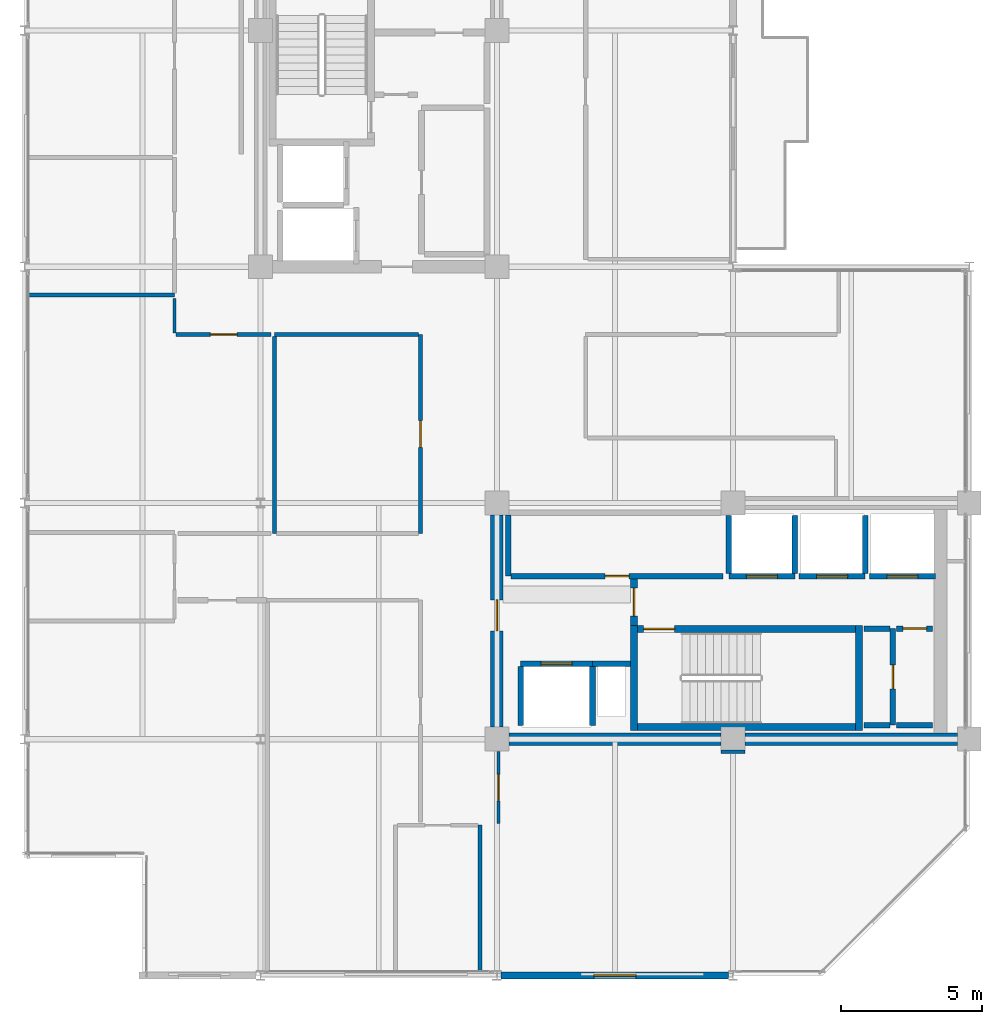
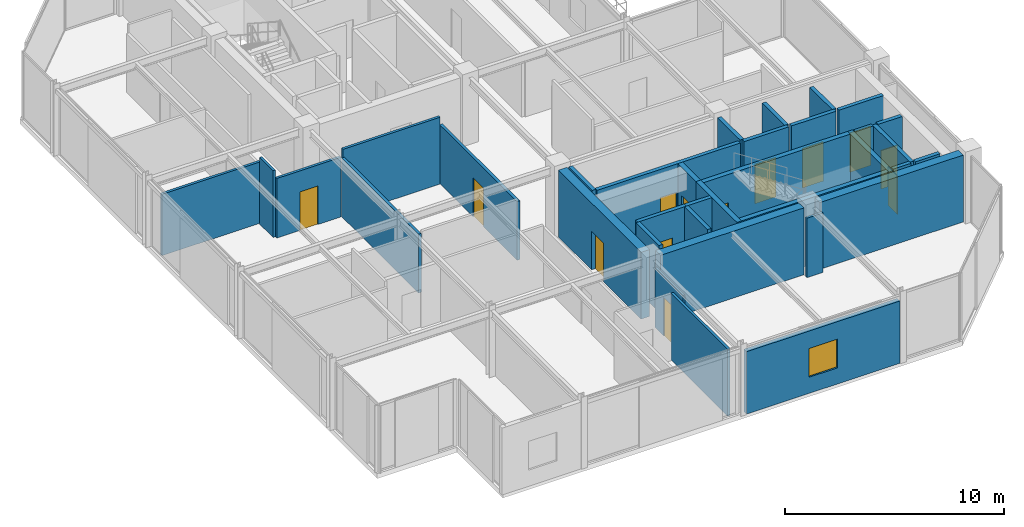
# One storey, part 20 of 24: 35 walls, 13 doors, 1 window, 14 openings.
"""IFC4 building model written with IfcOpenShell, lengths in metres."""

from ifc_helpers import new_model, si_unit, direction, frame, frame_2d, origin, place, context, subcontext, project, spatial, rectangle, extrude, material, layer, layer_set, type_object, element, fill, save


model = new_model("IFC4")

# Units and contexts
model_context = context("Model", 3, precision=1e-05, world=origin(), true_north=direction((0.0, 1.0)))
body_context = subcontext(model_context, "Body", "Model", "MODEL_VIEW")
ifc_project = project(units=[si_unit("LENGTHUNIT", "METRE"), si_unit("AREAUNIT", "SQUARE_METRE"), si_unit("VOLUMEUNIT", "CUBIC_METRE"), si_unit("PLANEANGLEUNIT", "RADIAN"), si_unit("MASSUNIT", "GRAM", prefix="KILO")], contexts=[model_context])

# Site, building, storey
site_placement = place(None, origin())
site = spatial("IfcSite", under=ifc_project, at=site_placement, CompositionType="ELEMENT")
building_placement = place(site_placement, origin())
building = spatial("IfcBuilding", under=site, at=building_placement, Name="Nerrivon Quay Data Exchange", CompositionType="ELEMENT")
storey_placement = place(building_placement, frame((0.0, 0.0, 306.199951171875)))
storey = spatial("IfcBuildingStorey", under=building, at=storey_placement, Name="L73", CompositionType="ELEMENT", Elevation=306.199951171875)

# Wall, opening, window
ifc_material_1 = material(Name="Architectural terracotta precast concrete N50 (50 MPa)", Category="masonry")
ifc_layer_1 = layer(ifc_material_1, 0.239990234375)
ifc_layer_set_1 = layer_set([ifc_layer_1], Name="Architectural terracotta precast concrete N50 (50 MPa)")
wall_type_1 = type_object("IfcWallType", Name="EW-PREC-240", PredefinedType="STANDARD", material=ifc_layer_set_1)
wall_1_placement = place(storey_placement, frame((25.04443359375, 0.0, 0.0), z_axis=(0.0, 0.0, 1.0), x_axis=(-1.0, 0.0, 0.0)))
wall_1 = element("IfcWall", 1, at=wall_1_placement, inside=storey, type_object=wall_type_1, Name="L73 Podium Precast Spandrel Wall 3", PredefinedType="STANDARD", context=body_context, shape_type="SweptSolid", body=[
    extrude(rectangle(XDim=8.0888671875, YDim=0.239990234375, at=frame_2d((4.04443359375, 0.0))), origin(), (0.0, 0.0, 1.0), 3.47509765625),
])
opening_1_placement = place(wall_1_placement, frame((3.29443359375, 0.0, 0.89990234375)))
opening_1 = element("IfcOpeningElement", 2, at=opening_1_placement, cuts=wall_1, Name="Opening WN4", PredefinedType="OPENING", context=body_context, shape_type="SweptSolid", body=[
    extrude(rectangle(XDim=1.5, YDim=1.60009765625, at=frame_2d((0.75, 0.800048828125))), frame((0.0, 0.1298828125, 0.0), z_axis=(0.0, -1.0, 0.0), x_axis=(1.0, 0.0, 0.0)), (0.0, 0.0, 1.0), 0.260009765625),
])
ifc_material_2 = material(Name="Double-glazed low-E solar control glass", Category="glass")
window_type = type_object("IfcWindowType", Name="WIN-W4-1500x1600", PartitioningType="SINGLE_PANEL", PredefinedType="WINDOW", material=ifc_material_2)
window_placement = place(opening_1_placement, origin())
window = element("IfcWindow", 3, at=window_placement, inside=storey, type_object=window_type, Name="L73 Solar Facade Window 3", OverallHeight=1.60009765625, OverallWidth=1.5, PartitioningType="SINGLE_PANEL", PredefinedType="WINDOW", context=body_context, shape_type="SweptSolid", body=[
    extrude(rectangle(XDim=1.5, YDim=1.60009765625, at=frame_2d((0.75, 0.800048828125))), frame((0.0, 0.030029296875, 0.0), z_axis=(0.0, -1.0, 0.0), x_axis=(1.0, 0.0, 0.0)), (0.0, 0.0, 1.0), 0.06005859375),
])
fill(opening_1, window)

# Walls
ifc_material_3 = material(Name="Concrete N50 (50 MPa)", Category="concrete")
ifc_layer_2 = layer(ifc_material_3, 0.449951171875)
ifc_layer_set_2 = layer_set([ifc_layer_2], Name="Concrete N50 (50 MPa)")
wall_type_2 = type_object("IfcWallType", Name="WALL-CW-550", PredefinedType="SHEAR", material=ifc_layer_set_2)
wall_2_placement = place(storey_placement, frame((17.22509765625, 8.39990234375, 0.0), z_axis=(0.0, 0.0, 1.0), x_axis=(1.0, 0.0, 0.0)))
element("IfcWall", 4, at=wall_2_placement, inside=storey, type_object=wall_type_2, Name="L73 East Split-Core Shear Wall ECW-S1", PredefinedType="SHEAR", context=body_context, shape_type="SweptSolid", body=[
    extrude(rectangle(XDim=7.5498046875, YDim=0.449951171875, at=frame_2d((3.77490234375, 0.0))), origin(), (0.0, 0.0, 1.0), 3.72509765625),
])
wall_3_placement = place(storey_placement, frame((25.625, 8.39990234375, 0.0), z_axis=(0.0, 0.0, 1.0), x_axis=(1.0, 0.0, 0.0)))
element("IfcWall", 5, at=wall_3_placement, inside=storey, type_object=wall_type_2, Name="L73 East Split-Core Shear Wall ECW-S2", PredefinedType="SHEAR", context=body_context, shape_type="SweptSolid", body=[
    extrude(rectangle(XDim=7.550048828125, YDim=0.449951171875, at=frame_2d((3.77490234375, 0.0))), origin(), (0.0, 0.0, 1.0), 3.72509765625),
])

# Wall, opening, door
wall_4_placement = place(storey_placement, frame((16.800048828125, 8.824951171875, 0.0), z_axis=(0.0, 0.0, 1.0), x_axis=(0.0, 1.0, 0.0)))
wall_4 = element("IfcWall", 6, at=wall_4_placement, inside=storey, type_object=wall_type_2, Name="L73 East Split-Core Shear Wall ECW-W1", PredefinedType="SHEAR", context=body_context, shape_type="SweptSolid", body=[
    extrude(rectangle(XDim=7.550048828125, YDim=0.449951171875, at=frame_2d((3.77490234375, 0.0))), origin(), (0.0, 0.0, 1.0), 3.72509765625),
])
opening_2_placement = place(wall_4_placement, frame((3.425048828125, 0.0, 0.0)))
opening_2 = element("IfcOpeningElement", 7, at=opening_2_placement, cuts=wall_4, Name="Opening FD-120", PredefinedType="OPENING", context=body_context, shape_type="SweptSolid", body=[
    extrude(rectangle(XDim=1.10009765625, YDim=2.14990234375, at=frame_2d((0.550048828125, 1.074951171875))), frame((0.0, 0.23486328125, 0.0), z_axis=(0.0, -1.0, 0.0), x_axis=(1.0, 0.0, 0.0)), (0.0, 0.0, 1.0), 0.469970703125),
])
ifc_material_4 = material(Name="Powder-coated galvanized steel sheet", Category="steel")
door_type_1 = type_object("IfcDoorType", Name="DR-FD120-1100", OperationType="NOTDEFINED", PredefinedType="DOOR", material=ifc_material_4)
door_1_placement = place(opening_2_placement, origin())
door_1 = element("IfcDoor", 8, at=door_1_placement, inside=storey, type_object=door_type_1, Name="L73 East Core Lobby Fire Door", OperationType="SINGLE_SWING_LEFT", OverallHeight=2.14990234375, OverallWidth=1.10009765625, PredefinedType="DOOR", context=body_context, shape_type="SweptSolid", body=[
    extrude(rectangle(XDim=1.10009765625, YDim=2.14990234375, at=frame_2d((0.550048828125, 1.074951171875))), frame((0.0, 0.02490234375, 0.0), z_axis=(0.0, -1.0, 0.0), x_axis=(1.0, 0.0, 0.0)), (0.0, 0.0, 1.0), 0.050048828125),
])
fill(opening_2, door_1)

# Wall
ifc_material_5 = material(Name="Gypsum plasterboard on cold-formed framing", Category="gypsum")
ifc_layer_3 = layer(ifc_material_5, 0.199951171875)
ifc_layer_set_3 = layer_set([ifc_layer_3], Name="Gypsum plasterboard on cold-formed framing")
wall_type_3 = type_object("IfcWallType", Name="WALL-FW-200", PredefinedType="PARTITIONING", material=ifc_layer_set_3)
wall_5_placement = place(storey_placement, frame((20.199951171875, 11.080078125, 0.0), z_axis=(0.0, 0.0, 1.0), x_axis=(1.0, 0.0, 0.0)))
element("IfcWall", 9, at=wall_5_placement, inside=storey, type_object=wall_type_3, Name="L73 East Core MEP Riser Shaft Wall N", PredefinedType="PARTITIONING", context=body_context, shape_type="SweptSolid", body=[
    extrude(rectangle(XDim=1.35009765625, YDim=0.199951171875, at=frame_2d((0.675048828125, 0.0))), origin(), (0.0, 0.0, 1.0), 3.72509765625),
])

# Wall, opening, door
wall_6_placement = place(storey_placement, frame((17.64990234375, 11.080078125, 0.0), z_axis=(0.0, 0.0, 1.0), x_axis=(1.0, 0.0, 0.0)))
wall_6 = element("IfcWall", 10, at=wall_6_placement, inside=storey, type_object=wall_type_3, Name="L73 Lift Front Wall FFL-2", PredefinedType="PARTITIONING", context=body_context, shape_type="SweptSolid", body=[
    extrude(rectangle(XDim=2.550048828125, YDim=0.199951171875, at=frame_2d((1.27490234375, 0.0))), origin(), (0.0, 0.0, 1.0), 3.72509765625),
])
opening_3_placement = place(wall_6_placement, frame((0.72509765625, 0.0, 0.0)))
opening_3 = element("IfcOpeningElement", 11, at=opening_3_placement, cuts=wall_6, Name="Opening LD-120", PredefinedType="OPENING", context=body_context, shape_type="SweptSolid", body=[
    extrude(rectangle(XDim=1.10009765625, YDim=2.199951171875, at=frame_2d((0.550048828125, 1.10009765625))), frame((0.0, 0.10986328125, 0.0), z_axis=(0.0, -1.0, 0.0), x_axis=(1.0, 0.0, 0.0)), (0.0, 0.0, 1.0), 0.219970703125),
])
door_type_2 = type_object("IfcDoorType", Name="DR-LIFT-LD120", OperationType="DOUBLE_DOOR_SLIDING", PredefinedType="DOOR", material=ifc_material_4)
door_2_placement = place(opening_3_placement, origin())
door_2 = element("IfcDoor", 12, at=door_2_placement, inside=storey, type_object=door_type_2, Name="L73 Lift Landing Sliding Door FFL-2", OperationType="DOUBLE_DOOR_SLIDING", OverallHeight=2.199951171875, OverallWidth=1.10009765625, PredefinedType="DOOR", context=body_context, shape_type="SweptSolid", body=[
    extrude(rectangle(XDim=1.10009765625, YDim=2.199951171875, at=frame_2d((0.550048828125, 1.10009765625))), frame((0.0, 0.02490234375, 0.0), z_axis=(0.0, -1.0, 0.0), x_axis=(1.0, 0.0, 0.0)), (0.0, 0.0, 1.0), 0.050048828125),
])
fill(opening_3, door_2)

# Walls
for number, where, z_axis, x_axis, name in (
    (13, (20.199951171875, 8.8798828125, 0.0), (0.0, 0.0, 1.0), (0.0, 1.0, 0.0), "L73 Lift Shaft Wall FFL-2 EAST"),
    (14, (17.64990234375, 8.8798828125, 0.0), (0.0, 0.0, 1.0), (0.0, 1.0, 0.0), "L73 Lift Shaft Wall FFL-2 WEST"),
):
    element("IfcWall", number, at=place(storey_placement, frame(where, z_axis=z_axis, x_axis=x_axis)), inside=storey, type_object=wall_type_3, Name=name, PredefinedType="PARTITIONING", context=body_context, shape_type="SweptSolid", body=[
        extrude(rectangle(XDim=2.10009765625, YDim=0.199951171875, at=frame_2d((1.050048828125, 0.0))), origin(), (0.0, 0.0, 1.0), 3.72509765625),
    ])

# Wall, opening, door
wall_7_placement = place(storey_placement, frame((25.050048828125, 14.199951171875, 0.0), z_axis=(0.0, 0.0, 1.0), x_axis=(1.0, 0.0, 0.0)))
wall_7 = element("IfcWall", 15, at=wall_7_placement, inside=storey, type_object=wall_type_3, Name="L73 Lift Front Wall PL7", PredefinedType="PARTITIONING", context=body_context, shape_type="SweptSolid", body=[
    extrude(rectangle(XDim=2.349853515625, YDim=0.199951171875, at=frame_2d((1.1748046875, 0.0))), origin(), (0.0, 0.0, 1.0), 3.72509765625),
])
opening_4_placement = place(wall_7_placement, frame((0.625, 0.0, 0.0)))
opening_4 = element("IfcOpeningElement", 16, at=opening_4_placement, cuts=wall_7, Name="Opening LD-120", PredefinedType="OPENING", context=body_context, shape_type="SweptSolid", body=[
    extrude(rectangle(XDim=1.10009765625, YDim=2.199951171875, at=frame_2d((0.550048828125, 1.10009765625))), frame((0.0, 0.10986328125, 0.0), z_axis=(0.0, -1.0, 0.0), x_axis=(1.0, 0.0, 0.0)), (0.0, 0.0, 1.0), 0.219970703125),
])
door_3_placement = place(opening_4_placement, origin())
door_3 = element("IfcDoor", 17, at=door_3_placement, inside=storey, type_object=door_type_2, Name="L73 Lift Landing Sliding Door PL7", OperationType="DOUBLE_DOOR_SLIDING", OverallHeight=2.199951171875, OverallWidth=1.10009765625, PredefinedType="DOOR", context=body_context, shape_type="SweptSolid", body=[
    extrude(rectangle(XDim=1.10009765625, YDim=2.199951171875, at=frame_2d((0.550048828125, 1.10009765625))), frame((0.0, 0.02490234375, 0.0), z_axis=(0.0, -1.0, 0.0), x_axis=(1.0, 0.0, 0.0)), (0.0, 0.0, 1.0), 0.050048828125),
])
fill(opening_4, door_3)

# Walls
for number, where, z_axis, x_axis, name in (
    (18, (27.39990234375, 14.300048828125, 0.0), (0.0, 0.0, 1.0), (0.0, 1.0, 0.0), "L73 Lift Shaft Wall PL7 EAST"),
    (19, (25.050048828125, 14.300048828125, 0.0), (0.0, 0.0, 1.0), (0.0, 1.0, 0.0), "L73 Lift Shaft Wall PL7 WEST"),
):
    element("IfcWall", number, at=place(storey_placement, frame(where, z_axis=z_axis, x_axis=x_axis)), inside=storey, type_object=wall_type_3, Name=name, PredefinedType="PARTITIONING", context=body_context, shape_type="SweptSolid", body=[
        extrude(rectangle(XDim=2.050048828125, YDim=0.199951171875, at=frame_2d((1.02490234375, 0.0))), origin(), (0.0, 0.0, 1.0), 3.72509765625),
    ])

# Wall, opening, door
wall_8_placement = place(storey_placement, frame((27.550048828125, 14.199951171875, 0.0), z_axis=(0.0, 0.0, 1.0), x_axis=(1.0, 0.0, 0.0)))
wall_8 = element("IfcWall", 20, at=wall_8_placement, inside=storey, type_object=wall_type_3, Name="L73 Lift Front Wall PL8", PredefinedType="PARTITIONING", context=body_context, shape_type="SweptSolid", body=[
    extrude(rectangle(XDim=2.349853515625, YDim=0.199951171875, at=frame_2d((1.1748046875, 0.0))), origin(), (0.0, 0.0, 1.0), 3.72509765625),
])
opening_5_placement = place(wall_8_placement, frame((0.625, 0.0, 0.0)))
opening_5 = element("IfcOpeningElement", 21, at=opening_5_placement, cuts=wall_8, Name="Opening LD-120", PredefinedType="OPENING", context=body_context, shape_type="SweptSolid", body=[
    extrude(rectangle(XDim=1.10009765625, YDim=2.199951171875, at=frame_2d((0.550048828125, 1.10009765625))), frame((0.0, 0.10986328125, 0.0), z_axis=(0.0, -1.0, 0.0), x_axis=(1.0, 0.0, 0.0)), (0.0, 0.0, 1.0), 0.219970703125),
])
door_4_placement = place(opening_5_placement, origin())
door_4 = element("IfcDoor", 22, at=door_4_placement, inside=storey, type_object=door_type_2, Name="L73 Lift Landing Sliding Door PL8", OperationType="DOUBLE_DOOR_SLIDING", OverallHeight=2.199951171875, OverallWidth=1.10009765625, PredefinedType="DOOR", context=body_context, shape_type="SweptSolid", body=[
    extrude(rectangle(XDim=1.10009765625, YDim=2.199951171875, at=frame_2d((0.550048828125, 1.10009765625))), frame((0.0, 0.02490234375, 0.0), z_axis=(0.0, -1.0, 0.0), x_axis=(1.0, 0.0, 0.0)), (0.0, 0.0, 1.0), 0.050048828125),
])
fill(opening_5, door_4)

# Wall
wall_9_placement = place(storey_placement, frame((29.89990234375, 14.300048828125, 0.0), z_axis=(0.0, 0.0, 1.0), x_axis=(0.0, 1.0, 0.0)))
element("IfcWall", 23, at=wall_9_placement, inside=storey, type_object=wall_type_3, Name="L73 Lift Shaft Wall PL8 EAST", PredefinedType="PARTITIONING", context=body_context, shape_type="SweptSolid", body=[
    extrude(rectangle(XDim=2.050048828125, YDim=0.199951171875, at=frame_2d((1.02490234375, 0.0))), origin(), (0.0, 0.0, 1.0), 3.72509765625),
])

# Wall, opening, door
wall_10_placement = place(storey_placement, frame((30.050048828125, 14.199951171875, 0.0), z_axis=(0.0, 0.0, 1.0), x_axis=(1.0, 0.0, 0.0)))
wall_10 = element("IfcWall", 24, at=wall_10_placement, inside=storey, type_object=wall_type_3, Name="L73 Lift Front Wall PL9", PredefinedType="PARTITIONING", context=body_context, shape_type="SweptSolid", body=[
    extrude(rectangle(XDim=2.349853515625, YDim=0.199951171875, at=frame_2d((1.1748046875, 0.0))), origin(), (0.0, 0.0, 1.0), 3.72509765625),
])
opening_6_placement = place(wall_10_placement, frame((0.625, 0.0, 0.0)))
opening_6 = element("IfcOpeningElement", 25, at=opening_6_placement, cuts=wall_10, Name="Opening LD-120", PredefinedType="OPENING", context=body_context, shape_type="SweptSolid", body=[
    extrude(rectangle(XDim=1.10009765625, YDim=2.199951171875, at=frame_2d((0.550048828125, 1.10009765625))), frame((0.0, 0.10986328125, 0.0), z_axis=(0.0, -1.0, 0.0), x_axis=(1.0, 0.0, 0.0)), (0.0, 0.0, 1.0), 0.219970703125),
])
door_5_placement = place(opening_6_placement, origin())
door_5 = element("IfcDoor", 26, at=door_5_placement, inside=storey, type_object=door_type_2, Name="L73 Lift Landing Sliding Door PL9", OperationType="DOUBLE_DOOR_SLIDING", OverallHeight=2.199951171875, OverallWidth=1.10009765625, PredefinedType="DOOR", context=body_context, shape_type="SweptSolid", body=[
    extrude(rectangle(XDim=1.10009765625, YDim=2.199951171875, at=frame_2d((0.550048828125, 1.10009765625))), frame((0.0, 0.02490234375, 0.0), z_axis=(0.0, -1.0, 0.0), x_axis=(1.0, 0.0, 0.0)), (0.0, 0.0, 1.0), 0.050048828125),
])
fill(opening_6, door_5)

# Wall
wall_11_placement = place(storey_placement, frame((17.199951171875, 16.3701171875, 0.0), z_axis=(0.0, 0.0, 1.0), x_axis=(0.0, -1.0, 0.0)))
element("IfcWall", 27, at=wall_11_placement, inside=storey, type_object=wall_type_3, Name="L73 Partition High-Zone Patching Archive", PredefinedType="PARTITIONING", context=body_context, shape_type="SweptSolid", body=[
    extrude(rectangle(XDim=2.170166015625, YDim=0.199951171875, at=frame_2d((1.0849609375, 0.0))), origin(), (0.0, 0.0, 1.0), 3.72509765625),
])

# Wall, opening, door
wall_12_placement = place(storey_placement, frame((17.303955078125, 14.199951171875, 0.0), z_axis=(0.0, 0.0, 1.0), x_axis=(1.0, 0.0, 0.0)))
wall_12 = element("IfcWall", 28, at=wall_12_placement, inside=storey, type_object=wall_type_3, Name="L73 Partition High-Zone Patching Archive", PredefinedType="PARTITIONING", context=body_context, shape_type="SweptSolid", body=[
    extrude(rectangle(XDim=7.546142578125, YDim=0.199951171875, at=frame_2d((3.77294921875, 0.0))), origin(), (0.0, 0.0, 1.0), 3.72509765625),
])
opening_7_placement = place(wall_12_placement, frame((3.347900390625, 0.0, 0.0)))
opening_7 = element("IfcOpeningElement", 29, at=opening_7_placement, cuts=wall_12, Name="Opening FD-60S", PredefinedType="OPENING", context=body_context, shape_type="SweptSolid", body=[
    extrude(rectangle(XDim=0.85009765625, YDim=2.14990234375, at=frame_2d((0.425048828125, 1.074951171875))), frame((0.0, 0.10986328125, 0.0), z_axis=(0.0, -1.0, 0.0), x_axis=(1.0, 0.0, 0.0)), (0.0, 0.0, 1.0), 0.219970703125),
])
ifc_material_6 = material(Name="Engineered hardwood timber", Category="wood")
door_type_3 = type_object("IfcDoorType", Name="DR-FD60-850", OperationType="NOTDEFINED", PredefinedType="DOOR", material=ifc_material_6)
door_6_placement = place(opening_7_placement, origin())
door_6 = element("IfcDoor", 30, at=door_6_placement, inside=storey, type_object=door_type_3, Name="L73 Door High-Zone Patching Archive", OperationType="SINGLE_SWING_RIGHT", OverallHeight=2.14990234375, OverallWidth=0.85009765625, PredefinedType="DOOR", context=body_context, shape_type="SweptSolid", body=[
    extrude(rectangle(XDim=0.85009765625, YDim=2.14990234375, at=frame_2d((0.425048828125, 1.074951171875))), frame((0.0, 0.02490234375, 0.0), z_axis=(0.0, -1.0, 0.0), x_axis=(1.0, 0.0, 0.0)), (0.0, 0.0, 1.0), 0.050048828125),
])
fill(opening_7, door_6)

wall_13_placement = place(storey_placement, frame((30.8798828125, 8.89990234375, 0.0), z_axis=(0.0, 0.0, 1.0), x_axis=(0.0, 1.0, 0.0)))
wall_13 = element("IfcWall", 31, at=wall_13_placement, inside=storey, type_object=wall_type_3, Name="L73 Partition East Electrical Closet", PredefinedType="PARTITIONING", context=body_context, shape_type="SweptSolid", body=[
    extrude(rectangle(XDim=3.43017578125, YDim=0.199951171875, at=frame_2d((1.715087890625, 0.0))), origin(), (0.0, 0.0, 1.0), 3.72509765625),
])
opening_8_placement = place(wall_13_placement, frame((1.2900390625, 0.0, 0.0)))
opening_8 = element("IfcOpeningElement", 32, at=opening_8_placement, cuts=wall_13, Name="Opening FD-60S", PredefinedType="OPENING", context=body_context, shape_type="SweptSolid", body=[
    extrude(rectangle(XDim=0.85009765625, YDim=2.14990234375, at=frame_2d((0.425048828125, 1.074951171875))), frame((0.0, 0.10986328125, 0.0), z_axis=(0.0, -1.0, 0.0), x_axis=(1.0, 0.0, 0.0)), (0.0, 0.0, 1.0), 0.219970703125),
])
door_7_placement = place(opening_8_placement, origin())
door_7 = element("IfcDoor", 33, at=door_7_placement, inside=storey, type_object=door_type_3, Name="L73 Door East Electrical Closet", OperationType="SINGLE_SWING_LEFT", OverallHeight=2.14990234375, OverallWidth=0.85009765625, PredefinedType="DOOR", context=body_context, shape_type="SweptSolid", body=[
    extrude(rectangle(XDim=0.85009765625, YDim=2.14990234375, at=frame_2d((0.425048828125, 1.074951171875))), frame((0.0, 0.02490234375, 0.0), z_axis=(0.0, -1.0, 0.0), x_axis=(1.0, 0.0, 0.0)), (0.0, 0.0, 1.0), 0.050048828125),
])
fill(opening_8, door_7)

# Walls
for number, where, z_axis, x_axis, name in (
    (34, (30.77587890625, 12.330078125, 0.0), (0.0, 0.0, 1.0), (-1.0, 0.0, 0.0), "L73 Partition East Electrical Closet"),
    (35, (29.85009765625, 8.89990234375, 0.0), (0.0, 0.0, 1.0), (1.0, 0.0, 0.0), "L73 Partition East Electrical Closet"),
):
    element("IfcWall", number, at=place(storey_placement, frame(where, z_axis=z_axis, x_axis=x_axis)), inside=storey, type_object=wall_type_3, Name=name, PredefinedType="PARTITIONING", context=body_context, shape_type="SweptSolid", body=[
        extrude(rectangle(XDim=0.92578125, YDim=0.199951171875, at=frame_2d((0.462890625, 0.0))), origin(), (0.0, 0.0, 1.0), 3.72509765625),
    ])

# Wall, opening, door
wall_14_placement = place(storey_placement, frame((32.300048828125, 12.330078125, 0.0), z_axis=(0.0, 0.0, 1.0), x_axis=(-1.0, 0.0, 0.0)))
wall_14 = element("IfcWall", 36, at=wall_14_placement, inside=storey, type_object=wall_type_3, Name="L73 Partition East Cleaners Store", PredefinedType="PARTITIONING", context=body_context, shape_type="SweptSolid", body=[
    extrude(rectangle(XDim=1.280029296875, YDim=0.199951171875, at=frame_2d((0.64013671875, 0.0))), origin(), (0.0, 0.0, 1.0), 3.72509765625),
])
opening_9_placement = place(wall_14_placement, frame((0.215087890625, 0.0, 0.0)))
opening_9 = element("IfcOpeningElement", 37, at=opening_9_placement, cuts=wall_14, Name="Opening FD-60S", PredefinedType="OPENING", context=body_context, shape_type="SweptSolid", body=[
    extrude(rectangle(XDim=0.85009765625, YDim=2.14990234375, at=frame_2d((0.425048828125, 1.074951171875))), frame((0.0, 0.10986328125, 0.0), z_axis=(0.0, -1.0, 0.0), x_axis=(1.0, 0.0, 0.0)), (0.0, 0.0, 1.0), 0.219970703125),
])
door_8_placement = place(opening_9_placement, origin())
door_8 = element("IfcDoor", 38, at=door_8_placement, inside=storey, type_object=door_type_3, Name="L73 Door East Cleaners Store", OperationType="SINGLE_SWING_RIGHT", OverallHeight=2.14990234375, OverallWidth=0.85009765625, PredefinedType="DOOR", context=body_context, shape_type="SweptSolid", body=[
    extrude(rectangle(XDim=0.85009765625, YDim=2.14990234375, at=frame_2d((0.425048828125, 1.074951171875))), frame((0.0, 0.02490234375, 0.0), z_axis=(0.0, -1.0, 0.0), x_axis=(1.0, 0.0, 0.0)), (0.0, 0.0, 1.0), 0.050048828125),
])
fill(opening_9, door_8)

# Walls
wall_15_placement = place(storey_placement, frame((31.02001953125, 8.89990234375, 0.0), z_axis=(0.0, 0.0, 1.0), x_axis=(1.0, 0.0, 0.0)))
element("IfcWall", 39, at=wall_15_placement, inside=storey, type_object=wall_type_3, Name="L73 Partition East Cleaners Store", PredefinedType="PARTITIONING", context=body_context, shape_type="SweptSolid", body=[
    extrude(rectangle(XDim=1.280029296875, YDim=0.199951171875, at=frame_2d((0.64013671875, 0.0))), origin(), (0.0, 0.0, 1.0), 3.72509765625),
])
ifc_layer_4 = layer(ifc_material_5, 0.1201171875)
ifc_layer_set_4 = layer_set([ifc_layer_4], Name="Gypsum plasterboard on cold-formed framing")
wall_type_4 = type_object("IfcWallType", Name="WALL-PT-120", PredefinedType="PARTITIONING", material=ifc_layer_set_4)
wall_16_placement = place(storey_placement, frame((5.340087890625, 22.85009765625, 0.0), z_axis=(0.0, 0.0, 1.0), x_axis=(0.0, 1.0, 0.0)))
element("IfcWall", 40, at=wall_16_placement, inside=storey, type_object=wall_type_4, Name="L73 Partition Client Conference Room 1", PredefinedType="PARTITIONING", context=body_context, shape_type="SweptSolid", body=[
    extrude(rectangle(XDim=1.225341796875, YDim=0.1201171875, at=frame_2d((0.61279296875, 0.0))), origin(), (0.0, 0.0, 1.0), 3.72509765625),
])
wall_17_placement = place(storey_placement, frame((25.630859375, 7.955810546875, 0.0), z_axis=(0.0, 0.0, 1.0), x_axis=(-0.99999963391, -0.000855675671, 0.0)))
element("IfcWall", 41, at=wall_17_placement, inside=storey, type_object=wall_type_4, Name="L73 Partition Optical Engineering Studios Workspace", PredefinedType="PARTITIONING", context=body_context, shape_type="SweptSolid", body=[
    extrude(rectangle(XDim=0.85595703125, YDim=0.1201171875, at=frame_2d((0.427978515625, 0.0))), origin(), (0.0, 0.0, 1.0), 3.319091796875),
])

# Wall, opening, door
wall_18_placement = place(storey_placement, frame((16.860107421875, 7.955078125, 0.0), z_axis=(0.0, 0.0, 1.0), x_axis=(0.0, -1.0, 0.0)))
wall_18 = element("IfcWall", 42, at=wall_18_placement, inside=storey, type_object=wall_type_4, Name="L73 Partition Optical Engineering Studios Workspace", PredefinedType="PARTITIONING", context=body_context, shape_type="SweptSolid", body=[
    extrude(rectangle(XDim=2.55517578125, YDim=0.1201171875, at=frame_2d((1.277587890625, 0.0))), origin(), (0.0, 0.0, 1.0), 3.319091796875),
])
opening_10_placement = place(wall_18_placement, frame((0.802490234375, 0.0, 0.0)))
opening_10 = element("IfcOpeningElement", 43, at=opening_10_placement, cuts=wall_18, Name="Opening D-01", PredefinedType="OPENING", context=body_context, shape_type="SweptSolid", body=[
    extrude(rectangle(XDim=0.949951171875, YDim=2.14990234375, at=frame_2d((0.47509765625, 1.074951171875))), frame((0.0, 0.070068359375, 0.0), z_axis=(0.0, -1.0, 0.0), x_axis=(1.0, 0.0, 0.0)), (0.0, 0.0, 1.0), 0.14013671875),
])
door_type_4 = type_object("IfcDoorType", Name="DR-INT-950", OperationType="NOTDEFINED", PredefinedType="DOOR", material=ifc_material_6)
door_9_placement = place(opening_10_placement, origin())
door_9 = element("IfcDoor", 44, at=door_9_placement, inside=storey, type_object=door_type_4, Name="L73 Door Optical Engineering Studios Workspace", OperationType="SINGLE_SWING_LEFT", OverallHeight=2.14990234375, OverallWidth=0.949951171875, PredefinedType="DOOR", context=body_context, shape_type="SweptSolid", body=[
    extrude(rectangle(XDim=0.949951171875, YDim=2.14990234375, at=frame_2d((0.47509765625, 1.074951171875))), frame((0.0, 0.02490234375, 0.0), z_axis=(0.0, -1.0, 0.0), x_axis=(1.0, 0.0, 0.0)), (0.0, 0.0, 1.0), 0.050048828125),
])
fill(opening_10, door_9)

# Walls
ifc_layer_5 = layer(ifc_material_5, 0.135009765625)
ifc_layer_set_5 = layer_set([ifc_layer_5], Name="Gypsum plasterboard on cold-formed framing")
wall_type_5 = type_object("IfcWallType", Name="WALL-PT-135", PredefinedType="PARTITIONING", material=ifc_layer_set_5)
wall_19_placement = place(storey_placement, frame((16.199951171875, 0.1689453125, 0.0), z_axis=(0.0, 0.0, 1.0), x_axis=(0.0, 1.0, 0.0)))
element("IfcWall", 45, at=wall_19_placement, inside=storey, type_object=wall_type_5, Name="L73 Partition Public Washrooms", PredefinedType="PARTITIONING", context=body_context, shape_type="SweptSolid", body=[
    extrude(rectangle(XDim=5.171142578125, YDim=0.135009765625, at=frame_2d((2.58544921875, 0.0))), origin(), (0.0, 0.0, 1.0), 3.72509765625),
])
wall_20_placement = place(storey_placement, frame((0.1689453125, 24.195556640625, 0.0), z_axis=(0.0, 0.0, 1.0), x_axis=(1.0, 0.0, 0.0)))
element("IfcWall", 46, at=wall_20_placement, inside=storey, type_object=wall_type_5, Name="L73 Partition Staff Pantry", PredefinedType="PARTITIONING", context=body_context, shape_type="SweptSolid", body=[
    extrude(rectangle(XDim=5.171142578125, YDim=0.135009765625, at=frame_2d((2.58544921875, 0.0))), origin(), (0.0, 0.0, 1.0), 3.421142578125),
])
wall_21_placement = place(storey_placement, frame((14.010986328125, 22.7900390625, 0.0), z_axis=(0.0, 0.0, 1.0), x_axis=(-1.0, 0.0, 0.0)))
element("IfcWall", 47, at=wall_21_placement, inside=storey, type_object=wall_type_5, Name="L73 Partition Network Security Control", PredefinedType="PARTITIONING", context=body_context, shape_type="SweptSolid", body=[
    extrude(rectangle(XDim=5.117919921875, YDim=0.135009765625, at=frame_2d((2.55908203125, 0.0))), origin(), (0.0, 0.0, 1.0), 3.72509765625),
])

# Wall, opening, door
wall_22_placement = place(storey_placement, frame((8.773193359375, 22.7900390625, 0.0), z_axis=(0.0, 0.0, 1.0), x_axis=(-1.0, 0.0, 0.0)))
wall_22 = element("IfcWall", 48, at=wall_22_placement, inside=storey, type_object=wall_type_5, Name="L73 Partition Client Conference Room 1", PredefinedType="PARTITIONING", context=body_context, shape_type="SweptSolid", body=[
    extrude(rectangle(XDim=3.373291015625, YDim=0.135009765625, at=frame_2d((1.6865234375, 0.0))), origin(), (0.0, 0.0, 1.0), 3.319091796875),
])
opening_11_placement = place(wall_22_placement, frame((1.21142578125, 0.0, 0.0)))
opening_11 = element("IfcOpeningElement", 49, at=opening_11_placement, cuts=wall_22, Name="Opening D-01", PredefinedType="OPENING", context=body_context, shape_type="SweptSolid", body=[
    extrude(rectangle(XDim=0.949951171875, YDim=2.14990234375, at=frame_2d((0.47509765625, 1.074951171875))), frame((0.0, 0.077392578125, 0.0), z_axis=(0.0, -1.0, 0.0), x_axis=(1.0, 0.0, 0.0)), (0.0, 0.0, 1.0), 0.155029296875),
])
door_10_placement = place(opening_11_placement, origin())
door_10 = element("IfcDoor", 50, at=door_10_placement, inside=storey, type_object=door_type_4, Name="L73 Door Client Conference Room 1", OperationType="SINGLE_SWING_RIGHT", OverallHeight=2.14990234375, OverallWidth=0.949951171875, PredefinedType="DOOR", context=body_context, shape_type="SweptSolid", body=[
    extrude(rectangle(XDim=0.949951171875, YDim=2.14990234375, at=frame_2d((0.47509765625, 1.074951171875))), frame((0.0, 0.02490234375, 0.0), z_axis=(0.0, -1.0, 0.0), x_axis=(1.0, 0.0, 0.0)), (0.0, 0.0, 1.0), 0.050048828125),
])
fill(opening_11, door_10)

ifc_layer_6 = layer(ifc_material_5, 0.14990234375)
ifc_layer_set_6 = layer_set([ifc_layer_6], Name="Gypsum plasterboard on cold-formed framing")
wall_type_6 = type_object("IfcWallType", Name="WALL-PT-150", PredefinedType="PARTITIONING", material=ifc_layer_set_6)
wall_23_placement = place(storey_placement, frame((14.090087890625, 15.7099609375, 0.0), z_axis=(0.0, 0.0, 1.0), x_axis=(0.0, 1.0, 0.0)))
wall_23 = element("IfcWall", 51, at=wall_23_placement, inside=storey, type_object=wall_type_6, Name="L73 Partition Network Security Control", PredefinedType="PARTITIONING", context=body_context, shape_type="SweptSolid", body=[
    extrude(rectangle(XDim=7.080078125, YDim=0.14990234375, at=frame_2d((3.5400390625, 0.0))), origin(), (0.0, 0.0, 1.0), 3.27099609375),
])
opening_12_placement = place(wall_23_placement, frame((3.06494140625, 0.0, 0.0)))
opening_12 = element("IfcOpeningElement", 52, at=opening_12_placement, cuts=wall_23, Name="Opening D-01", PredefinedType="OPENING", context=body_context, shape_type="SweptSolid", body=[
    extrude(rectangle(XDim=0.949951171875, YDim=2.14990234375, at=frame_2d((0.47509765625, 1.074951171875))), frame((0.0, 0.0849609375, 0.0), z_axis=(0.0, -1.0, 0.0), x_axis=(1.0, 0.0, 0.0)), (0.0, 0.0, 1.0), 0.169921875),
])
door_11_placement = place(opening_12_placement, origin())
door_11 = element("IfcDoor", 53, at=door_11_placement, inside=storey, type_object=door_type_4, Name="L73 Door Network Security Control", OperationType="SINGLE_SWING_RIGHT", OverallHeight=2.14990234375, OverallWidth=0.949951171875, PredefinedType="DOOR", context=body_context, shape_type="SweptSolid", body=[
    extrude(rectangle(XDim=0.949951171875, YDim=2.14990234375, at=frame_2d((0.47509765625, 1.074951171875))), frame((0.0, 0.02490234375, 0.0), z_axis=(0.0, -1.0, 0.0), x_axis=(1.0, 0.0, 0.0)), (0.0, 0.0, 1.0), 0.050048828125),
])
fill(opening_12, door_11)

# Walls
wall_24_placement = place(storey_placement, frame((8.89306640625, 22.718505859375, 0.0), z_axis=(0.0, 0.0, 1.0), x_axis=(0.0, -1.0, 0.0)))
element("IfcWall", 54, at=wall_24_placement, inside=storey, type_object=wall_type_6, Name="L73 Partition Network Security Control", PredefinedType="PARTITIONING", context=body_context, shape_type="SweptSolid", body=[
    extrude(rectangle(XDim=7.008544921875, YDim=0.14990234375, at=frame_2d((3.50439453125, 0.0))), origin(), (0.0, 0.0, 1.0), 3.27099609375),
])
ifc_layer_7 = layer(ifc_material_3, 0.25)
ifc_layer_set_7 = layer_set([ifc_layer_7], Name="Concrete N50 (50 MPa)")
wall_type_7 = type_object("IfcWallType", Name="WALL-SW-250", PredefinedType="SHEAR", material=ifc_layer_set_7)
for number, where, z_axis, x_axis, name in (
    (55, (21.675048828125, 8.699951171875, 0.0), (0.0, 0.0, 1.0), (0.0, 1.0, 0.0), "L73 ST02 Structural Stair Core Wall NEAR"),
    (56, (29.675048828125, 8.699951171875, 0.0), (0.0, 0.0, 1.0), (0.0, 1.0, 0.0), "L73 ST02 Structural Stair Core Wall FAR"),
):
    element("IfcWall", number, at=place(storey_placement, frame(where, z_axis=z_axis, x_axis=x_axis)), inside=storey, type_object=wall_type_7, Name=name, PredefinedType="SHEAR", context=body_context, shape_type="SweptSolid", body=[
        extrude(rectangle(XDim=3.75, YDim=0.25, at=frame_2d((1.875, 0.0))), origin(), (0.0, 0.0, 1.0), 3.72509765625),
    ])
wall_25_placement = place(storey_placement, frame((21.800048828125, 8.824951171875, 0.0), z_axis=(0.0, 0.0, 1.0), x_axis=(1.0, 0.0, 0.0)))
element("IfcWall", 57, at=wall_25_placement, inside=storey, type_object=wall_type_7, Name="L73 ST02 Structural Stair Core Wall LEFT", PredefinedType="SHEAR", context=body_context, shape_type="SweptSolid", body=[
    extrude(rectangle(XDim=7.75, YDim=0.25, at=frame_2d((3.875, 0.0))), origin(), (0.0, 0.0, 1.0), 3.72509765625),
])

# Wall, opening, door
wall_26_placement = place(storey_placement, frame((21.800048828125, 12.324951171875, 0.0), z_axis=(0.0, 0.0, 1.0), x_axis=(1.0, 0.0, 0.0)))
wall_26 = element("IfcWall", 58, at=wall_26_placement, inside=storey, type_object=wall_type_7, Name="L73 ST02 Structural Stair Core Wall RIGHT", PredefinedType="SHEAR", context=body_context, shape_type="SweptSolid", body=[
    extrude(rectangle(XDim=7.75, YDim=0.25, at=frame_2d((3.875, 0.0))), origin(), (0.0, 0.0, 1.0), 3.72509765625),
])
opening_13_placement = place(wall_26_placement, frame((0.219970703125, 0.0, 0.0)))
opening_13 = element("IfcOpeningElement", 59, at=opening_13_placement, cuts=wall_26, Name="Opening FD-120", PredefinedType="OPENING", context=body_context, shape_type="SweptSolid", body=[
    extrude(rectangle(XDim=1.10009765625, YDim=2.14990234375, at=frame_2d((0.550048828125, 1.074951171875))), frame((0.0, 0.135009765625, 0.0), z_axis=(0.0, -1.0, 0.0), x_axis=(1.0, 0.0, 0.0)), (0.0, 0.0, 1.0), 0.27001953125),
])
door_12_placement = place(opening_13_placement, origin())
door_12 = element("IfcDoor", 60, at=door_12_placement, inside=storey, type_object=door_type_1, Name="L73 Protected Stair Door ST02", OperationType="SINGLE_SWING_LEFT", OverallHeight=2.14990234375, OverallWidth=1.10009765625, PredefinedType="DOOR", context=body_context, shape_type="SweptSolid", body=[
    extrude(rectangle(XDim=1.10009765625, YDim=2.14990234375, at=frame_2d((0.550048828125, 1.074951171875))), frame((0.0, 0.02490234375, 0.0), z_axis=(0.0, -1.0, 0.0), x_axis=(1.0, 0.0, 0.0)), (0.0, 0.0, 1.0), 0.050048828125),
])
fill(opening_13, door_12)

wall_27_placement = place(storey_placement, frame((21.679931640625, 12.449951171875, 0.0), z_axis=(0.0, 0.0, 1.0), x_axis=(0.0, 1.0, 0.0)))
wall_27 = element("IfcWall", 61, at=wall_27_placement, inside=storey, type_object=wall_type_7, Name="L73 East Firefighting Lobby Wall", PredefinedType="SHEAR", context=body_context, shape_type="SweptSolid", body=[
    extrude(rectangle(XDim=1.650146484375, YDim=0.25, at=frame_2d((0.8251953125, 0.0))), origin(), (0.0, 0.0, 1.0), 3.72509765625),
])
opening_14_placement = place(wall_27_placement, frame((0.324951171875, 0.0, 0.0)))
opening_14 = element("IfcOpeningElement", 62, at=opening_14_placement, cuts=wall_27, Name="Opening FD-60", PredefinedType="OPENING", context=body_context, shape_type="SweptSolid", body=[
    extrude(rectangle(XDim=1.0, YDim=2.14990234375, at=frame_2d((0.5, 1.074951171875))), frame((0.0, 0.135009765625, 0.0), z_axis=(0.0, -1.0, 0.0), x_axis=(1.0, 0.0, 0.0)), (0.0, 0.0, 1.0), 0.27001953125),
])
door_type_5 = type_object("IfcDoorType", Name="DR-FD60-1000", OperationType="NOTDEFINED", PredefinedType="DOOR", material=ifc_material_6)
door_13_placement = place(opening_14_placement, origin())
door_13 = element("IfcDoor", 63, at=door_13_placement, inside=storey, type_object=door_type_5, Name="L73 East Firefighting Lobby Fire Door", OperationType="SINGLE_SWING_LEFT", OverallHeight=2.14990234375, OverallWidth=1.0, PredefinedType="DOOR", context=body_context, shape_type="SweptSolid", body=[
    extrude(rectangle(XDim=1.0, YDim=2.14990234375, at=frame_2d((0.5, 1.074951171875))), frame((0.0, 0.02490234375, 0.0), z_axis=(0.0, -1.0, 0.0), x_axis=(1.0, 0.0, 0.0)), (0.0, 0.0, 1.0), 0.050048828125),
])
fill(opening_14, door_13)

save(model, "model.ifc")
